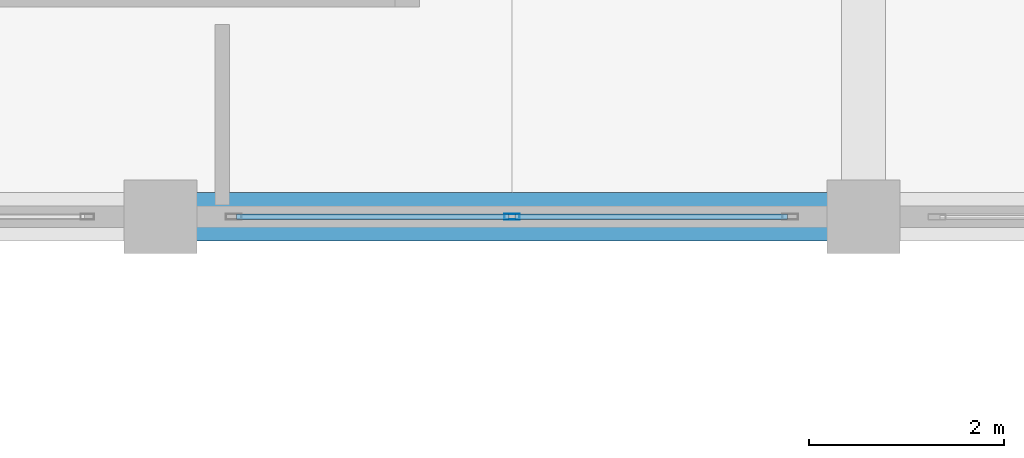
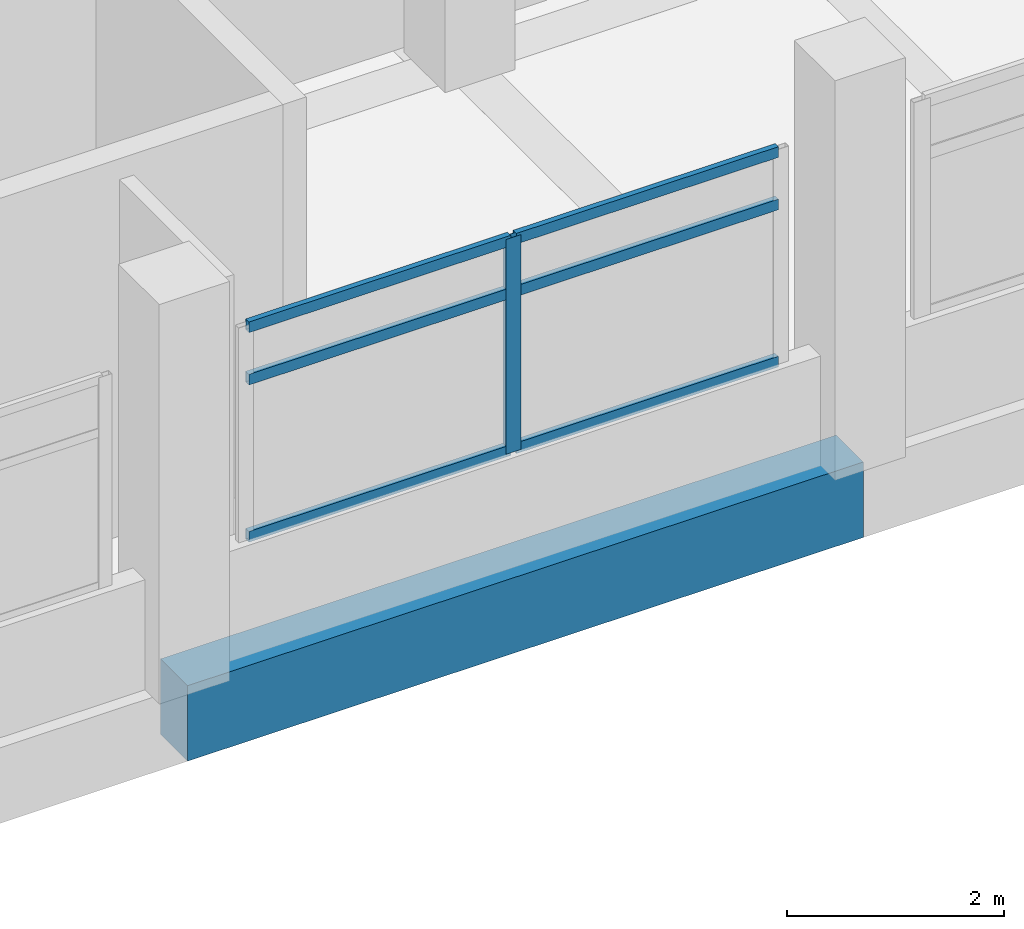
# One storey, part 72 of 141: 7 members, 1 beam, 1 element without a shape of its own.
"""IFC4 building model written with IfcOpenShell, lengths in metres."""

from ifc_helpers import new_model, si_unit, direction, frame, origin, origin_2d, place, context, subcontext, project, spatial, rectangle, hollow_rectangle, extrude, material, layer, layer_set, material_profile, profile_set, type_object, element, aggregate, save


model = new_model("IFC4")

# Units and contexts
model_context = context("Model", 3, precision=1e-05, world=origin(), true_north=direction((0.0, 1.0)))
body_context = subcontext(model_context, "Body", "Model", "MODEL_VIEW")
ifc_project = project(units=[si_unit("LENGTHUNIT", "METRE"), si_unit("AREAUNIT", "SQUARE_METRE"), si_unit("VOLUMEUNIT", "CUBIC_METRE"), si_unit("PLANEANGLEUNIT", "RADIAN"), si_unit("MASSUNIT", "GRAM", prefix="KILO")], contexts=[model_context])

# Site, building, storey
site_placement = place(None, origin())
site = spatial("IfcSite", under=ifc_project, at=site_placement, CompositionType="ELEMENT")
building_placement = place(site_placement, origin())
building = spatial("IfcBuilding", under=site, at=building_placement, Name="Seraya Terrace Polytechnic", CompositionType="ELEMENT")
storey_placement = place(building_placement, frame((0.0, 0.0, 14.39990234375)))
storey = spatial("IfcBuildingStorey", under=building, at=storey_placement, Name="L03", CompositionType="ELEMENT", Elevation=14.39990234375)

# Beam
ifc_material_1 = material(Name="Concrete C40/50", Category="concrete")
ifc_material_profile_1 = material_profile(ifc_material_1, rectangle(XDim=0.5, YDim=0.85009765625, at=origin_2d()), Name="RC 500x850")
ifc_profile_set_1 = profile_set([ifc_material_profile_1], Name="Concrete C40/50")
beam_type = type_object("IfcBeamType", Name="BM-05", PredefinedType="BEAM", material=ifc_profile_set_1)
beam_placement = place(storey_placement, frame((57.60009765625, 64.800048828125, -0.4248046875), z_axis=(1.0, 0.0, 0.0), x_axis=(0.0, 1.0, 0.0)))
element("IfcBeam", 1, at=beam_placement, inside=storey, type_object=beam_type, Name="Beam BM-05 L03 X (57.6..64.8, 64.8)", PredefinedType="BEAM", context=body_context, shape_type="SweptSolid", body=[
    extrude(rectangle(XDim=0.5, YDim=0.85009765625, at=origin_2d()), origin(), (0.0, 0.0, 1.0), 7.199951171875),
])

# Curtain wall, members
ifc_material_2 = material(Name="Anodised aluminium EN AW-6063 T6", Category="aluminium")
ifc_layer = layer(ifc_material_2, 0.179931640625, Name="CW-35")
ifc_layer_set = layer_set([ifc_layer], Name="Anodised aluminium EN AW-6063 T6")
curtain_wall_type = type_object("IfcCurtainWallType", Name="CW-35", PredefinedType="NOTDEFINED", material=ifc_layer_set)
curtain_wall_placement = place(storey_placement, origin())
curtain_wall = element("IfcCurtainWall", 2, at=curtain_wall_placement, inside=storey, type_object=curtain_wall_type, Name="Unitised curtain wall CW-35 (CW-L03-143)", PredefinedType="NOTDEFINED")
ifc_material_profile_2 = material_profile(ifc_material_2, hollow_rectangle(XDim=0.06005859375, YDim=0.159912109375, WallThickness=0.00341796875, at=origin_2d()), Name="RHS 160x60x3.5")
ifc_profile_set_2 = profile_set([ifc_material_profile_2], Name="Anodised aluminium EN AW-6063 T6")
member_type_1 = type_object("IfcMemberType", Name="CWM-02", PredefinedType="MULLION", material=ifc_profile_set_2)
member_1_placement = place(storey_placement, frame((61.199951171875, 64.800048828125, 1.239990234375), z_axis=(0.0, 0.0, 1.0), x_axis=(0.0, -1.0, 0.0)))
member_1 = element("IfcMember", 3, at=member_1_placement, type_object=member_type_1, Name="CW-35 mullion 2", PredefinedType="MULLION", context=body_context, shape_type="SweptSolid", body=[
    extrude(hollow_rectangle(XDim=0.06005859375, YDim=0.159912109375, WallThickness=0.00341796875, at=origin_2d()), origin(), (0.0, 0.0, 1.0), 2.420166015625),
])
ifc_material_profile_3 = material_profile(ifc_material_2, hollow_rectangle(XDim=0.06005859375, YDim=0.1201171875, WallThickness=0.003173828125, at=origin_2d()), Name="RHS 120x60x3.2")
ifc_profile_set_3 = profile_set([ifc_material_profile_3], Name="Anodised aluminium EN AW-6063 T6")
member_type_2 = type_object("IfcMemberType", Name="CWT-02", PredefinedType="USERDEFINED", material=ifc_profile_set_3)
member_2_placement = place(storey_placement, frame((64.02001953125, 64.800048828125, 1.27001953125), z_axis=(-1.0, 0.0, 0.0), x_axis=(0.0, -1.0, 0.0)))
member_2 = element("IfcMember", 4, at=member_2_placement, type_object=member_type_2, Name="CW-35 transom 1.1", ObjectType="TRANSOM", PredefinedType="USERDEFINED", context=body_context, shape_type="SweptSolid", body=[
    extrude(hollow_rectangle(XDim=0.06005859375, YDim=0.1201171875, WallThickness=0.003173828125, at=origin_2d()), origin(), (0.0, 0.0, 1.0), 2.7900390625),
])
member_3_placement = place(storey_placement, frame((64.02001953125, 64.800048828125, 3.0400390625), z_axis=(-1.0, 0.0, 0.0), x_axis=(0.0, -1.0, 0.0)))
member_3 = element("IfcMember", 5, at=member_3_placement, type_object=member_type_2, Name="CW-35 transom 1.2", ObjectType="TRANSOM", PredefinedType="USERDEFINED", context=body_context, shape_type="SweptSolid", body=[
    extrude(hollow_rectangle(XDim=0.06005859375, YDim=0.1201171875, WallThickness=0.003173828125, at=origin_2d()), origin(), (0.0, 0.0, 1.0), 2.7900390625),
])
member_4_placement = place(storey_placement, frame((64.02001953125, 64.800048828125, 3.630126953125), z_axis=(-1.0, 0.0, 0.0), x_axis=(0.0, -1.0, 0.0)))
member_4 = element("IfcMember", 6, at=member_4_placement, type_object=member_type_2, Name="CW-35 transom 1.3", ObjectType="TRANSOM", PredefinedType="USERDEFINED", context=body_context, shape_type="SweptSolid", body=[
    extrude(hollow_rectangle(XDim=0.06005859375, YDim=0.1201171875, WallThickness=0.003173828125, at=origin_2d()), origin(), (0.0, 0.0, 1.0), 2.7900390625),
])
member_5_placement = place(storey_placement, frame((61.169921875, 64.800048828125, 1.27001953125), z_axis=(-1.0, 0.0, 0.0), x_axis=(0.0, -1.0, 0.0)))
member_5 = element("IfcMember", 7, at=member_5_placement, type_object=member_type_2, Name="CW-35 transom 2.1", ObjectType="TRANSOM", PredefinedType="USERDEFINED", context=body_context, shape_type="SweptSolid", body=[
    extrude(hollow_rectangle(XDim=0.06005859375, YDim=0.1201171875, WallThickness=0.003173828125, at=origin_2d()), origin(), (0.0, 0.0, 1.0), 2.7900390625),
])
member_6_placement = place(storey_placement, frame((61.169921875, 64.800048828125, 3.0400390625), z_axis=(-1.0, 0.0, 0.0), x_axis=(0.0, -1.0, 0.0)))
member_6 = element("IfcMember", 8, at=member_6_placement, type_object=member_type_2, Name="CW-35 transom 2.2", ObjectType="TRANSOM", PredefinedType="USERDEFINED", context=body_context, shape_type="SweptSolid", body=[
    extrude(hollow_rectangle(XDim=0.06005859375, YDim=0.1201171875, WallThickness=0.003173828125, at=origin_2d()), origin(), (0.0, 0.0, 1.0), 2.7900390625),
])
member_7_placement = place(storey_placement, frame((61.169921875, 64.800048828125, 3.630126953125), z_axis=(-1.0, 0.0, 0.0), x_axis=(0.0, -1.0, 0.0)))
member_7 = element("IfcMember", 9, at=member_7_placement, type_object=member_type_2, Name="CW-35 transom 2.3", ObjectType="TRANSOM", PredefinedType="USERDEFINED", context=body_context, shape_type="SweptSolid", body=[
    extrude(hollow_rectangle(XDim=0.06005859375, YDim=0.1201171875, WallThickness=0.003173828125, at=origin_2d()), origin(), (0.0, 0.0, 1.0), 2.7900390625),
])
aggregate(curtain_wall, [member_1, member_2, member_3, member_4, member_5, member_6, member_7])

save(model, "model.ifc")
